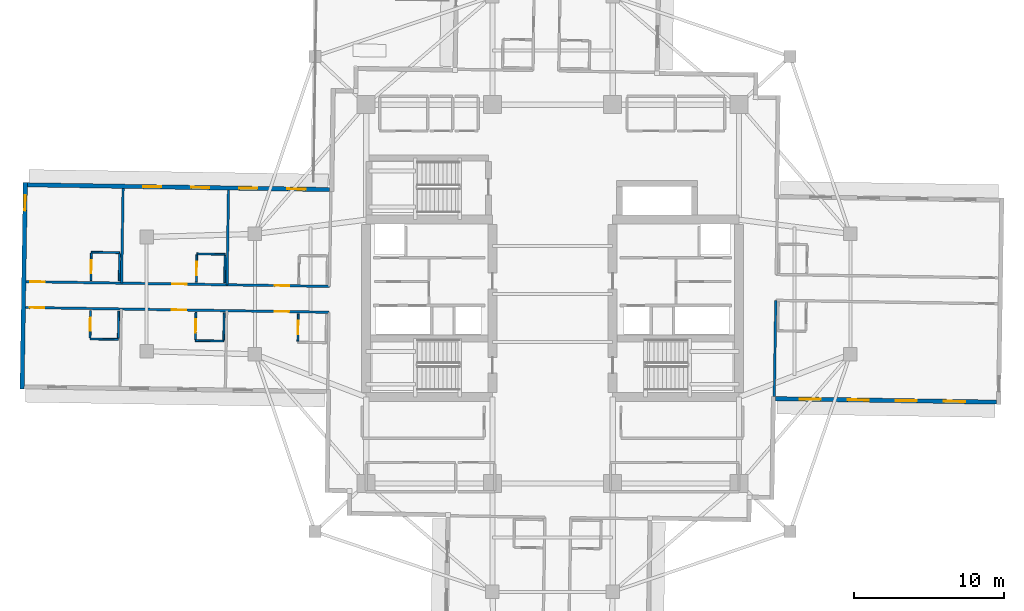
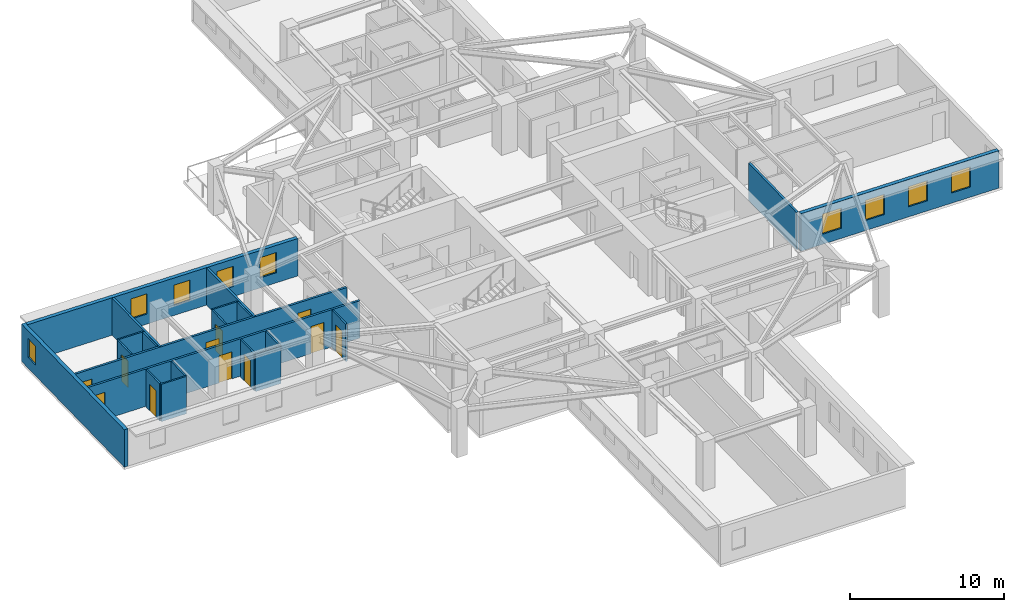
# One storey, part 4 of 13: 21 walls, 11 doors, 9 windows, 20 openings.
"""IFC4 building model written with IfcOpenShell, lengths in metres."""

import ifcopenshell
import ifcopenshell.guid

model = None  # the IFC model being written
_history = None  # IfcOwnerHistory: only IFC2X3 demands one
_inside = {}  # id of a spatial element -> (the spatial element, [elements in it])
_under = {}  # id of a project, library or spatial element -> (it, [spatial elements below it])
_declared = {}  # id of a project -> (the project, [libraries it declares])
_typed = {}  # id of a type object -> (the type object, [elements of that type])
_made_of = {}  # id of a material, layer set ... -> (it, [elements and type objects made of it])


def new_model(schema):
    """Start an empty IFC model of exactly this schema.

    Asked for "IFC4X3", IfcOpenShell would pick the latest addendum, in which some entities
    have other attributes; the version numbers below select the first issue.
    IFC2X3 requires an IfcOwnerHistory on every rooted entity: one is made here for all.
    """
    global model, _history
    if schema == "IFC4X3":
        model = ifcopenshell.file(schema_version=(4, 3, 0, 0))
    else:
        model = ifcopenshell.file(schema=schema)
    _inside.clear()
    _under.clear()
    _declared.clear()
    _typed.clear()
    _made_of.clear()
    _history = None
    if model.schema == "IFC2X3":
        org = make("IfcOrganization", Name="unknown")
        user = make(
            "IfcPersonAndOrganization",
            ThePerson=make("IfcPerson", FamilyName="unknown"),
            TheOrganization=org,
        )
        app = make(
            "IfcApplication",
            ApplicationDeveloper=org,
            Version="unknown",
            ApplicationFullName="unknown",
            ApplicationIdentifier="unknown",
        )
        _history = make(
            "IfcOwnerHistory",
            OwningUser=user,
            OwningApplication=app,
            ChangeAction="ADDED",
            CreationDate=0,
        )
    return model


def make(cls, **values):
    """One entity of the class cls with the attributes given. An attribute that is None is left unset."""
    return model.create_entity(
        cls, **{name: value for name, value in values.items() if value is not None}
    )


def rooted(cls, **values):
    """An entity with a GlobalId (a new one), such as an element, a storey or a relation."""
    return make(cls, GlobalId=ifcopenshell.guid.new(), OwnerHistory=_history, **values)


def si_unit(unit_type, name, prefix=None):
    """IfcSIUnit, for example si_unit("LENGTHUNIT", "METRE", prefix="MILLI")."""
    return make("IfcSIUnit", UnitType=unit_type, Prefix=prefix, Name=name)


def assignment(units):
    """IfcUnitAssignment: the units of a project."""
    return None if units is None else make("IfcUnitAssignment", Units=units)


def point(xyz):
    """IfcCartesianPoint."""
    return None if xyz is None else make("IfcCartesianPoint", Coordinates=xyz)


def direction(xyz):
    """IfcDirection."""
    return None if xyz is None else make("IfcDirection", DirectionRatios=xyz)


def frame(location, z_axis=None, x_axis=None):
    """IfcAxis2Placement3D, a coordinate frame: its origin and axes. An axis left out is left unset."""
    return make(
        "IfcAxis2Placement3D",
        Location=point(location),
        Axis=direction(z_axis),
        RefDirection=direction(x_axis),
    )


def frame_2d(location, x_axis=None):
    """IfcAxis2Placement2D, a coordinate frame in the plane: its origin and x axis."""
    return make(
        "IfcAxis2Placement2D", Location=point(location), RefDirection=direction(x_axis)
    )


def origin():
    """The frame at (0, 0, 0) with its axes left unset."""
    return frame((0.0, 0.0, 0.0))


def place(relative_to, where):
    """IfcLocalPlacement: puts the frame where relative to a parent placement (None: the world)."""
    return make(
        "IfcLocalPlacement", PlacementRelTo=relative_to, RelativePlacement=where
    )


def context(
    kind, dimensions, precision=None, world=None, true_north=None, identifier=None
):
    """IfcGeometricRepresentationContext, for example the 3D "Model" context."""
    return make(
        "IfcGeometricRepresentationContext",
        ContextIdentifier=identifier,
        ContextType=kind,
        CoordinateSpaceDimension=dimensions,
        Precision=precision,
        WorldCoordinateSystem=world,
        TrueNorth=true_north,
    )


def subcontext(parent, identifier, kind, view, scale=None):
    """IfcGeometricRepresentationSubContext, for example "Body" below "Model"."""
    return make(
        "IfcGeometricRepresentationSubContext",
        ContextIdentifier=identifier,
        ContextType=kind,
        ParentContext=parent,
        TargetScale=scale,
        TargetView=view,
    )


def project(units=None, contexts=None):
    """IfcProject with its units and contexts."""
    return rooted(
        "IfcProject",
        Name="project",
        RepresentationContexts=contexts,
        UnitsInContext=assignment(units),
    )


def spatial(cls, under=None, at=None, **own):
    """A site, building, storey or space (cls), placed at a placement, below another one or the project."""
    s = rooted(cls, ObjectPlacement=at, **own)
    if under is not None:
        _under.setdefault(under.id(), (under, []))[1].append(s)
    return s


def profile(cls, at=None, kind="AREA", **sizes):
    """A parametric profile (cls). Its sizes go by their IFC names, for example OverallWidth=200.0."""
    return make(cls, ProfileType=kind, Position=at, **sizes)


def rectangle(**sizes):
    """IfcRectangleProfileDef."""
    return profile("IfcRectangleProfileDef", **sizes)


def extrude(swept, where, along, depth):
    """IfcExtrudedAreaSolid: the profile swept, set in the frame where, extruded along a direction by depth."""
    return make(
        "IfcExtrudedAreaSolid",
        SweptArea=swept,
        Position=where,
        ExtrudedDirection=direction(along),
        Depth=depth,
    )


def shape(context_of_items, identifier, shape_type, items):
    """IfcShapeRepresentation: the items that make up one representation, for example the "Body"."""
    return make(
        "IfcShapeRepresentation",
        ContextOfItems=context_of_items,
        RepresentationIdentifier=identifier,
        RepresentationType=shape_type,
        Items=items,
    )


def material(Name=None, Category=None):
    """IfcMaterial."""
    return make("IfcMaterial", Name=Name, Category=Category)


def layer(
    of_material, thickness, ventilated=None, Name=None, Category=None, Priority=None
):
    """IfcMaterialLayer: one layer of a wall or slab, of a material (None: an air gap)."""
    return make(
        "IfcMaterialLayer",
        Material=of_material,
        LayerThickness=thickness,
        IsVentilated=ventilated,
        Name=Name,
        Category=Category,
        Priority=Priority,
    )


def layer_set(layers, Name=None):
    """IfcMaterialLayerSet."""
    return make("IfcMaterialLayerSet", MaterialLayers=layers, LayerSetName=Name)


def made_of(thing, what):
    """Note that an element or type object is made of a material, layer set ...; save() writes the relation."""
    if what is not None:
        _made_of.setdefault(what.id(), (what, []))[1].append(thing)
    return thing


def type_object(cls, material=None, **own):
    """A type object (cls), such as IfcWallType, which elements share."""
    return made_of(rooted(cls, **own), material)


def element(
    cls,
    number,
    at=None,
    inside=None,
    cuts=None,
    type_object=None,
    material=None,
    context=None,
    identifier="Body",
    shape_type=None,
    held_by="IfcProductDefinitionShape",
    body=None,
    shapes=None,
    **own,
):
    """One element of the class cls, such as IfcWall. Its Tag is "e" and its number.

    at: its placement. inside: the storey or other place that contains it. cuts: it is an
    opening in that element (IfcRelVoidsElement). A single representation is given by context,
    identifier, shape_type and body (its items); several are given by shapes. held_by: the class
    of the entity that holds the representations. save() writes the other relations.
    """
    e = rooted(cls, Tag="e%d" % number, ObjectPlacement=at, **own)
    if body is not None:
        shapes = [shape(context, identifier, shape_type, body)]
    if shapes is not None:
        e.Representation = make(held_by, Representations=shapes)
    if inside is not None:
        _inside.setdefault(inside.id(), (inside, []))[1].append(e)
    if cuts is not None:
        rooted(
            "IfcRelVoidsElement", RelatingBuildingElement=cuts, RelatedOpeningElement=e
        )
    if type_object is not None:
        _typed.setdefault(type_object.id(), (type_object, []))[1].append(e)
    return made_of(e, material)


def fill(opening, filler):
    """IfcRelFillsElement: the door or window that sits in an opening."""
    return rooted(
        "IfcRelFillsElement",
        RelatingOpeningElement=opening,
        RelatedBuildingElement=filler,
    )


def aggregate(whole, parts):
    """IfcRelAggregates: a whole, such as a stair, and the parts it consists of."""
    return rooted("IfcRelAggregates", RelatingObject=whole, RelatedObjects=parts)


def save(model, path):
    """Write the relations noted so far, then the file.

    IfcRelAggregates (storeys below a building ...), IfcRelContainedInSpatialStructure (elements
    in a storey), IfcRelDefinesByType, IfcRelAssociatesMaterial and IfcRelDeclares: one each for
    every whole, place, type object, material and project.
    """
    for whole, parts in _under.values():
        aggregate(whole, parts)
    for where, things in _inside.values():
        rooted(
            "IfcRelContainedInSpatialStructure",
            RelatedElements=things,
            RelatingStructure=where,
        )
    for kind, things in _typed.values():
        rooted("IfcRelDefinesByType", RelatedObjects=things, RelatingType=kind)
    for what, things in _made_of.values():
        rooted("IfcRelAssociatesMaterial", RelatedObjects=things, RelatingMaterial=what)
    for by, libraries in _declared.values():
        rooted("IfcRelDeclares", RelatingContext=by, RelatedDefinitions=libraries)
    model.write(path)


model = new_model("IFC4")

# Units and contexts
model_context = context("Model", 3, precision=1e-05, world=origin(), true_north=direction((0.0, 1.0)))
body_context = subcontext(model_context, "Body", "Model", "MODEL_VIEW")
ifc_project = project(units=[si_unit("LENGTHUNIT", "METRE"), si_unit("AREAUNIT", "SQUARE_METRE"), si_unit("VOLUMEUNIT", "CUBIC_METRE"), si_unit("PLANEANGLEUNIT", "RADIAN"), si_unit("MASSUNIT", "GRAM", prefix="KILO")], contexts=[model_context])

# Site, building, storey
site_placement = place(None, origin())
site = spatial("IfcSite", under=ifc_project, at=site_placement, CompositionType="ELEMENT")
building_placement = place(site_placement, origin())
building = spatial("IfcBuilding", under=site, at=building_placement, Name="Qingluan Cross Belvedere", CompositionType="ELEMENT")
storey_placement = place(building_placement, frame((0.0, 0.0, 148.800048828125)))
storey = spatial("IfcBuildingStorey", under=building, at=storey_placement, Name="L37", CompositionType="ELEMENT", Elevation=148.800048828125)

# Wall
ifc_material_1 = material(Name="Gypsum plasterboard on steel stud acoustic partition", Category="steel")
ifc_layer_1 = layer(ifc_material_1, 0.159912109375, Name="CorridorPartition_160")
ifc_layer_set_1 = layer_set([ifc_layer_1], Name="Gypsum plasterboard on steel stud acoustic partition")
wall_type_1 = type_object("IfcWallType", Name="CorridorPartition_160", PredefinedType="PARTITIONING", material=ifc_layer_set_1)
wall_1_placement = place(storey_placement, frame((14.84521484375, -0.4130859375, 0.0), z_axis=(0.0, 0.0, 1.0), x_axis=(-0.015697672111, -0.999876783954, 0.0)))
element("IfcWall", 1, at=wall_1_placement, inside=storey, type_object=wall_type_1, Name="Partition L37:E:s1", PredefinedType="PARTITIONING", context=body_context, shape_type="SweptSolid", body=[
    extrude(rectangle(XDim=6.39208984375, YDim=0.159912109375, at=frame_2d((3.196044921875, 0.0))), origin(), (0.0, 0.0, 1.0), 2.9599609375),
])

# Wall, openings, doors
wall_2_placement = place(storey_placement, frame((-14.84375, 0.51318359375, 0.0), z_axis=(0.0, 0.0, 1.0), x_axis=(-0.999876717676, 0.015701893165, 0.0)))
wall_2 = element("IfcWall", 2, at=wall_2_placement, inside=storey, type_object=wall_type_1, Name="Partition L37:W:c0", PredefinedType="PARTITIONING", context=body_context, shape_type="SweptSolid", body=[
    extrude(rectangle(XDim=20.181884765625, YDim=0.159912109375, at=frame_2d((10.0908203125, 0.0))), origin(), (0.0, 0.0, 1.0), 2.9599609375),
])
opening_1_placement = place(wall_2_placement, frame((2.660888671875, 0.0, 0.0)))
opening_1 = element("IfcOpeningElement", 3, at=opening_1_placement, cuts=wall_2, Name="Opening GD-10", PredefinedType="OPENING", context=body_context, shape_type="SweptSolid", body=[
    extrude(rectangle(XDim=0.9599609375, YDim=2.14990234375, at=frame_2d((0.47998046875, 1.074951171875))), frame((0.0, 0.08984375, 0.0), z_axis=(0.0, -1.0, 0.0), x_axis=(1.0, 0.0, 0.0)), (0.0, 0.0, 1.0), 0.179931640625),
])
opening_2_placement = place(wall_2_placement, frame((9.491943359375, 0.0, 0.0)))
opening_2 = element("IfcOpeningElement", 4, at=opening_2_placement, cuts=wall_2, Name="Opening GD-10", PredefinedType="OPENING", context=body_context, shape_type="SweptSolid", body=[
    extrude(rectangle(XDim=0.9599609375, YDim=2.14990234375, at=frame_2d((0.47998046875, 1.074951171875))), frame((0.0, 0.08984375, 0.0), z_axis=(0.0, -1.0, 0.0), x_axis=(1.0, 0.0, 0.0)), (0.0, 0.0, 1.0), 0.179931640625),
])
opening_3_placement = place(wall_2_placement, frame((18.929931640625, 0.0, 0.0)))
opening_3 = element("IfcOpeningElement", 5, at=opening_3_placement, cuts=wall_2, Name="Opening GD-10", PredefinedType="OPENING", context=body_context, shape_type="SweptSolid", body=[
    extrude(rectangle(XDim=0.9599609375, YDim=2.14990234375, at=frame_2d((0.47998046875, 1.074951171875))), frame((0.0, 0.08984375, 0.0), z_axis=(0.0, -1.0, 0.0), x_axis=(1.0, 0.0, 0.0)), (0.0, 0.0, 1.0), 0.179931640625),
])
ifc_material_2 = material(Name="Timber oak fire-rated acoustic guestroom door", Category="wood")
door_type_1 = type_object("IfcDoorType", Name="GuestEntryDoor_FD60", OperationType="NOTDEFINED", PredefinedType="DOOR", material=ifc_material_2)
door_1_placement = place(opening_1_placement, origin())
door_1 = element("IfcDoor", 6, at=door_1_placement, inside=storey, type_object=door_type_1, Name="Guest entry fire door 3703", OperationType="SINGLE_SWING_RIGHT", OverallHeight=2.14990234375, OverallWidth=0.9599609375, PredefinedType="DOOR", context=body_context, shape_type="SweptSolid", body=[
    extrude(rectangle(XDim=0.9599609375, YDim=2.14990234375, at=frame_2d((0.47998046875, 1.074951171875))), frame((0.0, 0.02490234375, 0.0), z_axis=(0.0, -1.0, 0.0), x_axis=(1.0, 0.0, 0.0)), (0.0, 0.0, 1.0), 0.050048828125),
])
fill(opening_1, door_1)
door_2_placement = place(opening_2_placement, origin())
door_2 = element("IfcDoor", 7, at=door_2_placement, inside=storey, type_object=door_type_1, Name="Guest entry fire door 3704", OperationType="SINGLE_SWING_RIGHT", OverallHeight=2.14990234375, OverallWidth=0.9599609375, PredefinedType="DOOR", context=body_context, shape_type="SweptSolid", body=[
    extrude(rectangle(XDim=0.9599609375, YDim=2.14990234375, at=frame_2d((0.47998046875, 1.074951171875))), frame((0.0, 0.02490234375, 0.0), z_axis=(0.0, -1.0, 0.0), x_axis=(1.0, 0.0, 0.0)), (0.0, 0.0, 1.0), 0.050048828125),
])
fill(opening_2, door_2)
door_3_placement = place(opening_3_placement, origin())
door_3 = element("IfcDoor", 8, at=door_3_placement, inside=storey, type_object=door_type_1, Name="Guest entry fire door 3705", OperationType="SINGLE_SWING_RIGHT", OverallHeight=2.14990234375, OverallWidth=0.9599609375, PredefinedType="DOOR", context=body_context, shape_type="SweptSolid", body=[
    extrude(rectangle(XDim=0.9599609375, YDim=2.14990234375, at=frame_2d((0.47998046875, 1.074951171875))), frame((0.0, 0.02490234375, 0.0), z_axis=(0.0, -1.0, 0.0), x_axis=(1.0, 0.0, 0.0)), (0.0, 0.0, 1.0), 0.050048828125),
])
fill(opening_3, door_3)

# Walls
wall_3_placement = place(storey_placement, frame((-21.65380859375, 0.6201171875, 0.0), z_axis=(0.0, 0.0, 1.0), x_axis=(0.015675825961, 0.999877126691, 0.0)))
element("IfcWall", 9, at=wall_3_placement, inside=storey, type_object=wall_type_1, Name="Partition L37:W:d0_0", PredefinedType="PARTITIONING", context=body_context, shape_type="SweptSolid", body=[
    extrude(rectangle(XDim=6.2919921875, YDim=0.159912109375, at=frame_2d((3.14599609375, 0.0))), origin(), (0.0, 0.0, 1.0), 2.9599609375),
])
wall_4_placement = place(storey_placement, frame((-28.666015625, 0.73046875, 0.0), z_axis=(0.0, 0.0, 1.0), x_axis=(0.01571522764, 0.999876508185, 0.0)))
element("IfcWall", 10, at=wall_4_placement, inside=storey, type_object=wall_type_1, Name="Partition L37:W:d0_1", PredefinedType="PARTITIONING", context=body_context, shape_type="SweptSolid", body=[
    extrude(rectangle(XDim=6.291748046875, YDim=0.159912109375, at=frame_2d((3.14599609375, 0.0))), origin(), (0.0, 0.0, 1.0), 2.9599609375),
])

# Wall, openings, doors
wall_5_placement = place(storey_placement, frame((-14.870849609375, -1.20654296875, 0.0), z_axis=(0.0, 0.0, 1.0), x_axis=(-0.999876527681, 0.015713987169, 0.0)))
wall_5 = element("IfcWall", 11, at=wall_5_placement, inside=storey, type_object=wall_type_1, Name="Partition L37:W:c1", PredefinedType="PARTITIONING", context=body_context, shape_type="SweptSolid", body=[
    extrude(rectangle(XDim=20.181884765625, YDim=0.159912109375, at=frame_2d((10.0908203125, 0.0))), origin(), (0.0, 0.0, 1.0), 2.9599609375),
])
opening_4_placement = place(wall_5_placement, frame((2.660888671875, 0.0, 0.0)))
opening_4 = element("IfcOpeningElement", 12, at=opening_4_placement, cuts=wall_5, Name="Opening GD-10", PredefinedType="OPENING", context=body_context, shape_type="SweptSolid", body=[
    extrude(rectangle(XDim=0.9599609375, YDim=2.14990234375, at=frame_2d((0.47998046875, 1.074951171875))), frame((0.0, 0.08984375, 0.0), z_axis=(0.0, -1.0, 0.0), x_axis=(1.0, 0.0, 0.0)), (0.0, 0.0, 1.0), 0.179931640625),
])
opening_5_placement = place(wall_5_placement, frame((9.491943359375, 0.0, 0.0)))
opening_5 = element("IfcOpeningElement", 13, at=opening_5_placement, cuts=wall_5, Name="Opening GD-10", PredefinedType="OPENING", context=body_context, shape_type="SweptSolid", body=[
    extrude(rectangle(XDim=0.9599609375, YDim=2.14990234375, at=frame_2d((0.47998046875, 1.074951171875))), frame((0.0, 0.08984375, 0.0), z_axis=(0.0, -1.0, 0.0), x_axis=(1.0, 0.0, 0.0)), (0.0, 0.0, 1.0), 0.179931640625),
])
opening_6_placement = place(wall_5_placement, frame((18.929931640625, 0.0, 0.0)))
opening_6 = element("IfcOpeningElement", 14, at=opening_6_placement, cuts=wall_5, Name="Opening GD-10", PredefinedType="OPENING", context=body_context, shape_type="SweptSolid", body=[
    extrude(rectangle(XDim=0.9599609375, YDim=2.14990234375, at=frame_2d((0.47998046875, 1.074951171875))), frame((0.0, 0.08984375, 0.0), z_axis=(0.0, -1.0, 0.0), x_axis=(1.0, 0.0, 0.0)), (0.0, 0.0, 1.0), 0.179931640625),
])
door_4_placement = place(opening_4_placement, origin())
door_4 = element("IfcDoor", 15, at=door_4_placement, inside=storey, type_object=door_type_1, Name="Guest entry fire door 3706", OperationType="SINGLE_SWING_RIGHT", OverallHeight=2.14990234375, OverallWidth=0.9599609375, PredefinedType="DOOR", context=body_context, shape_type="SweptSolid", body=[
    extrude(rectangle(XDim=0.9599609375, YDim=2.14990234375, at=frame_2d((0.47998046875, 1.074951171875))), frame((0.0, 0.02490234375, 0.0), z_axis=(0.0, -1.0, 0.0), x_axis=(1.0, 0.0, 0.0)), (0.0, 0.0, 1.0), 0.050048828125),
])
fill(opening_4, door_4)
door_5_placement = place(opening_5_placement, origin())
door_5 = element("IfcDoor", 16, at=door_5_placement, inside=storey, type_object=door_type_1, Name="Guest entry fire door 3707", OperationType="SINGLE_SWING_RIGHT", OverallHeight=2.14990234375, OverallWidth=0.9599609375, PredefinedType="DOOR", context=body_context, shape_type="SweptSolid", body=[
    extrude(rectangle(XDim=0.9599609375, YDim=2.14990234375, at=frame_2d((0.47998046875, 1.074951171875))), frame((0.0, 0.02490234375, 0.0), z_axis=(0.0, -1.0, 0.0), x_axis=(1.0, 0.0, 0.0)), (0.0, 0.0, 1.0), 0.050048828125),
])
fill(opening_5, door_5)
door_6_placement = place(opening_6_placement, origin())
door_6 = element("IfcDoor", 17, at=door_6_placement, inside=storey, type_object=door_type_1, Name="Guest entry fire door 3708", OperationType="SINGLE_SWING_RIGHT", OverallHeight=2.14990234375, OverallWidth=0.9599609375, PredefinedType="DOOR", context=body_context, shape_type="SweptSolid", body=[
    extrude(rectangle(XDim=0.9599609375, YDim=2.14990234375, at=frame_2d((0.47998046875, 1.074951171875))), frame((0.0, 0.02490234375, 0.0), z_axis=(0.0, -1.0, 0.0), x_axis=(1.0, 0.0, 0.0)), (0.0, 0.0, 1.0), 0.050048828125),
])
fill(opening_6, door_6)

# Wall, opening, door
ifc_material_3 = material(Name="Moisture-resistant gypsum board lining")
ifc_layer_2 = layer(ifc_material_3, 0.1201171875, Name="EnsuiteWetPartition_120")
ifc_layer_set_2 = layer_set([ifc_layer_2], Name="Moisture-resistant gypsum board lining")
wall_type_2 = type_object("IfcWallType", Name="EnsuiteWetPartition_120", PredefinedType="PARTITIONING", material=ifc_layer_set_2)
wall_6_placement = place(storey_placement, frame((-23.69140625, 0.792236328125, 0.0), z_axis=(0.0, 0.0, 1.0), x_axis=(0.015694337248, 0.999876836305, 0.0)))
wall_6 = element("IfcWall", 18, at=wall_6_placement, inside=storey, type_object=wall_type_2, Name="Partition L37:W:bs0_1", PredefinedType="PARTITIONING", context=body_context, shape_type="SweptSolid", body=[
    extrude(rectangle(XDim=1.820068359375, YDim=0.1201171875, at=frame_2d((0.91015625, 0.0))), origin(), (0.0, 0.0, 1.0), 2.9599609375),
])
opening_7_placement = place(wall_6_placement, frame((0.469970703125, 0.0, 0.0)))
opening_7 = element("IfcOpeningElement", 19, at=opening_7_placement, cuts=wall_6, Name="Opening BD-09", PredefinedType="OPENING", context=body_context, shape_type="SweptSolid", body=[
    extrude(rectangle(XDim=0.8798828125, YDim=2.10009765625, at=frame_2d((0.43994140625, 1.050048828125))), frame((0.0, 0.070068359375, 0.0), z_axis=(0.0, -1.0, 0.0), x_axis=(1.0, 0.0, 0.0)), (0.0, 0.0, 1.0), 0.14013671875),
])
ifc_material_4 = material(Name="Moisture-sealed timber en-suite door", Category="wood")
door_type_2 = type_object("IfcDoorType", Name="BathroomDoor_880", OperationType="NOTDEFINED", PredefinedType="DOOR", material=ifc_material_4)
door_7_placement = place(opening_7_placement, origin())
door_7 = element("IfcDoor", 20, at=door_7_placement, inside=storey, type_object=door_type_2, Name="Bathroom door 3704", OperationType="SINGLE_SWING_LEFT", OverallHeight=2.10009765625, OverallWidth=0.8798828125, PredefinedType="DOOR", context=body_context, shape_type="SweptSolid", body=[
    extrude(rectangle(XDim=0.8798828125, YDim=2.10009765625, at=frame_2d((0.43994140625, 1.050048828125))), frame((0.0, 0.02490234375, 0.0), z_axis=(0.0, -1.0, 0.0), x_axis=(1.0, 0.0, 0.0)), (0.0, 0.0, 1.0), 0.050048828125),
])
fill(opening_7, door_7)

# Walls
wall_7_placement = place(storey_placement, frame((-21.811767578125, 0.7626953125, 0.0), z_axis=(0.0, 0.0, 1.0), x_axis=(0.015694337248, 0.999876836305, 0.0)))
element("IfcWall", 21, at=wall_7_placement, inside=storey, type_object=wall_type_2, Name="Partition L37:W:bw0_1", PredefinedType="PARTITIONING", context=body_context, shape_type="SweptSolid", body=[
    extrude(rectangle(XDim=1.820068359375, YDim=0.1201171875, at=frame_2d((0.91015625, 0.0))), origin(), (0.0, 0.0, 1.0), 2.9599609375),
])
wall_8_placement = place(storey_placement, frame((-21.781982421875, 2.6474609375, 0.0), z_axis=(0.0, 0.0, 1.0), x_axis=(-0.999876553475, 0.01571234584, 0.0)))
element("IfcWall", 22, at=wall_8_placement, inside=storey, type_object=wall_type_2, Name="Partition L37:W:bn0_1", PredefinedType="PARTITIONING", context=body_context, shape_type="SweptSolid", body=[
    extrude(rectangle(XDim=1.880126953125, YDim=0.1201171875, at=frame_2d((0.93994140625, 0.0))), origin(), (0.0, 0.0, 1.0), 2.9599609375),
])

# Wall, opening, door
wall_9_placement = place(storey_placement, frame((-30.70361328125, 0.90234375, 0.0), z_axis=(0.0, 0.0, 1.0), x_axis=(0.015694337248, 0.999876836305, 0.0)))
wall_9 = element("IfcWall", 23, at=wall_9_placement, inside=storey, type_object=wall_type_2, Name="Partition L37:W:bs0_2", PredefinedType="PARTITIONING", context=body_context, shape_type="SweptSolid", body=[
    extrude(rectangle(XDim=1.820068359375, YDim=0.1201171875, at=frame_2d((0.91015625, 0.0))), origin(), (0.0, 0.0, 1.0), 2.9599609375),
])
opening_8_placement = place(wall_9_placement, frame((0.469970703125, 0.0, 0.0)))
opening_8 = element("IfcOpeningElement", 24, at=opening_8_placement, cuts=wall_9, Name="Opening BD-09", PredefinedType="OPENING", context=body_context, shape_type="SweptSolid", body=[
    extrude(rectangle(XDim=0.8798828125, YDim=2.10009765625, at=frame_2d((0.43994140625, 1.050048828125))), frame((0.0, 0.070068359375, 0.0), z_axis=(0.0, -1.0, 0.0), x_axis=(1.0, 0.0, 0.0)), (0.0, 0.0, 1.0), 0.14013671875),
])
door_8_placement = place(opening_8_placement, origin())
door_8 = element("IfcDoor", 25, at=door_8_placement, inside=storey, type_object=door_type_2, Name="Bathroom door 3705", OperationType="SINGLE_SWING_LEFT", OverallHeight=2.10009765625, OverallWidth=0.8798828125, PredefinedType="DOOR", context=body_context, shape_type="SweptSolid", body=[
    extrude(rectangle(XDim=0.8798828125, YDim=2.10009765625, at=frame_2d((0.43994140625, 1.050048828125))), frame((0.0, 0.02490234375, 0.0), z_axis=(0.0, -1.0, 0.0), x_axis=(1.0, 0.0, 0.0)), (0.0, 0.0, 1.0), 0.050048828125),
])
fill(opening_8, door_8)

# Walls
wall_10_placement = place(storey_placement, frame((-28.82373046875, 0.872802734375, 0.0), z_axis=(0.0, 0.0, 1.0), x_axis=(0.015560230231, 0.999878932289, 0.0)))
element("IfcWall", 26, at=wall_10_placement, inside=storey, type_object=wall_type_2, Name="Partition L37:W:bw0_2", PredefinedType="PARTITIONING", context=body_context, shape_type="SweptSolid", body=[
    extrude(rectangle(XDim=1.820068359375, YDim=0.1201171875, at=frame_2d((0.91015625, 0.0))), origin(), (0.0, 0.0, 1.0), 2.9599609375),
])
wall_11_placement = place(storey_placement, frame((-28.794189453125, 2.757568359375, 0.0), z_axis=(0.0, 0.0, 1.0), x_axis=(-0.999876553475, 0.01571234584, 0.0)))
element("IfcWall", 27, at=wall_11_placement, inside=storey, type_object=wall_type_2, Name="Partition L37:W:bn0_2", PredefinedType="PARTITIONING", context=body_context, shape_type="SweptSolid", body=[
    extrude(rectangle(XDim=1.880126953125, YDim=0.1201171875, at=frame_2d((0.93994140625, 0.0))), origin(), (0.0, 0.0, 1.0), 2.9599609375),
])

# Wall, opening, door
wall_12_placement = place(storey_placement, frame((-16.94140625, -3.13427734375, 0.0), z_axis=(0.0, 0.0, 1.0), x_axis=(0.015828443418, 0.999874722342, 0.0)))
wall_12 = element("IfcWall", 28, at=wall_12_placement, inside=storey, type_object=wall_type_2, Name="Partition L37:W:bs1_0", PredefinedType="PARTITIONING", context=body_context, shape_type="SweptSolid", body=[
    extrude(rectangle(XDim=1.820068359375, YDim=0.1201171875, at=frame_2d((0.91015625, 0.0))), origin(), (0.0, 0.0, 1.0), 2.9599609375),
])
opening_9_placement = place(wall_12_placement, frame((0.469970703125, 0.0, 0.0)))
opening_9 = element("IfcOpeningElement", 29, at=opening_9_placement, cuts=wall_12, Name="Opening BD-09", PredefinedType="OPENING", context=body_context, shape_type="SweptSolid", body=[
    extrude(rectangle(XDim=0.8798828125, YDim=2.10009765625, at=frame_2d((0.43994140625, 1.050048828125))), frame((0.0, 0.070068359375, 0.0), z_axis=(0.0, -1.0, 0.0), x_axis=(1.0, 0.0, 0.0)), (0.0, 0.0, 1.0), 0.14013671875),
])
door_9_placement = place(opening_9_placement, origin())
door_9 = element("IfcDoor", 30, at=door_9_placement, inside=storey, type_object=door_type_2, Name="Bathroom door 3706", OperationType="SINGLE_SWING_LEFT", OverallHeight=2.10009765625, OverallWidth=0.8798828125, PredefinedType="DOOR", context=body_context, shape_type="SweptSolid", body=[
    extrude(rectangle(XDim=0.8798828125, YDim=2.10009765625, at=frame_2d((0.43994140625, 1.050048828125))), frame((0.0, 0.02490234375, 0.0), z_axis=(0.0, -1.0, 0.0), x_axis=(1.0, 0.0, 0.0)), (0.0, 0.0, 1.0), 0.050048828125),
])
fill(opening_9, door_9)

wall_13_placement = place(storey_placement, frame((-23.75146484375, -3.02734375, 0.0), z_axis=(0.0, 0.0, 1.0), x_axis=(0.015694337248, 0.999876836305, 0.0)))
wall_13 = element("IfcWall", 31, at=wall_13_placement, inside=storey, type_object=wall_type_2, Name="Partition L37:W:bs1_1", PredefinedType="PARTITIONING", context=body_context, shape_type="SweptSolid", body=[
    extrude(rectangle(XDim=1.820068359375, YDim=0.1201171875, at=frame_2d((0.91015625, 0.0))), origin(), (0.0, 0.0, 1.0), 2.9599609375),
])
opening_10_placement = place(wall_13_placement, frame((0.469970703125, 0.0, 0.0)))
opening_10 = element("IfcOpeningElement", 32, at=opening_10_placement, cuts=wall_13, Name="Opening BD-09", PredefinedType="OPENING", context=body_context, shape_type="SweptSolid", body=[
    extrude(rectangle(XDim=0.8798828125, YDim=2.10009765625, at=frame_2d((0.43994140625, 1.050048828125))), frame((0.0, 0.070068359375, 0.0), z_axis=(0.0, -1.0, 0.0), x_axis=(1.0, 0.0, 0.0)), (0.0, 0.0, 1.0), 0.14013671875),
])
door_10_placement = place(opening_10_placement, origin())
door_10 = element("IfcDoor", 33, at=door_10_placement, inside=storey, type_object=door_type_2, Name="Bathroom door 3707", OperationType="SINGLE_SWING_LEFT", OverallHeight=2.10009765625, OverallWidth=0.8798828125, PredefinedType="DOOR", context=body_context, shape_type="SweptSolid", body=[
    extrude(rectangle(XDim=0.8798828125, YDim=2.10009765625, at=frame_2d((0.43994140625, 1.050048828125))), frame((0.0, 0.02490234375, 0.0), z_axis=(0.0, -1.0, 0.0), x_axis=(1.0, 0.0, 0.0)), (0.0, 0.0, 1.0), 0.050048828125),
])
fill(opening_10, door_10)

# Walls
wall_14_placement = place(storey_placement, frame((-21.87158203125, -3.056884765625, 0.0), z_axis=(0.0, 0.0, 1.0), x_axis=(0.015694337248, 0.999876836305, 0.0)))
element("IfcWall", 34, at=wall_14_placement, inside=storey, type_object=wall_type_2, Name="Partition L37:W:bw1_1", PredefinedType="PARTITIONING", context=body_context, shape_type="SweptSolid", body=[
    extrude(rectangle(XDim=1.820068359375, YDim=0.1201171875, at=frame_2d((0.91015625, 0.0))), origin(), (0.0, 0.0, 1.0), 2.9599609375),
])
wall_15_placement = place(storey_placement, frame((-21.872802734375, -3.121826171875, 0.0), z_axis=(0.0, 0.0, 1.0), x_axis=(-0.99987652141, 0.015714386166, 0.0)))
element("IfcWall", 35, at=wall_15_placement, inside=storey, type_object=wall_type_2, Name="Partition L37:W:bc1_1", PredefinedType="PARTITIONING", context=body_context, shape_type="SweptSolid", body=[
    extrude(rectangle(XDim=1.8798828125, YDim=0.1201171875, at=frame_2d((0.93994140625, 0.0))), origin(), (0.0, 0.0, 1.0), 2.9599609375),
])

# Wall, opening, door
wall_16_placement = place(storey_placement, frame((-30.763671875, -2.9169921875, 0.0), z_axis=(0.0, 0.0, 1.0), x_axis=(0.015696442504, 0.999876803258, 0.0)))
wall_16 = element("IfcWall", 36, at=wall_16_placement, inside=storey, type_object=wall_type_2, Name="Partition L37:W:bs1_2", PredefinedType="PARTITIONING", context=body_context, shape_type="SweptSolid", body=[
    extrude(rectangle(XDim=1.81982421875, YDim=0.1201171875, at=frame_2d((0.909912109375, 0.0))), origin(), (0.0, 0.0, 1.0), 2.9599609375),
])
opening_11_placement = place(wall_16_placement, frame((0.469970703125, 0.0, 0.0)))
opening_11 = element("IfcOpeningElement", 37, at=opening_11_placement, cuts=wall_16, Name="Opening BD-09", PredefinedType="OPENING", context=body_context, shape_type="SweptSolid", body=[
    extrude(rectangle(XDim=0.8798828125, YDim=2.10009765625, at=frame_2d((0.43994140625, 1.050048828125))), frame((0.0, 0.070068359375, 0.0), z_axis=(0.0, -1.0, 0.0), x_axis=(1.0, 0.0, 0.0)), (0.0, 0.0, 1.0), 0.14013671875),
])
door_11_placement = place(opening_11_placement, origin())
door_11 = element("IfcDoor", 38, at=door_11_placement, inside=storey, type_object=door_type_2, Name="Bathroom door 3708", OperationType="SINGLE_SWING_LEFT", OverallHeight=2.10009765625, OverallWidth=0.8798828125, PredefinedType="DOOR", context=body_context, shape_type="SweptSolid", body=[
    extrude(rectangle(XDim=0.8798828125, YDim=2.10009765625, at=frame_2d((0.43994140625, 1.050048828125))), frame((0.0, 0.02490234375, 0.0), z_axis=(0.0, -1.0, 0.0), x_axis=(1.0, 0.0, 0.0)), (0.0, 0.0, 1.0), 0.050048828125),
])
fill(opening_11, door_11)

# Walls
wall_17_placement = place(storey_placement, frame((-28.8837890625, -2.94677734375, 0.0), z_axis=(0.0, 0.0, 1.0), x_axis=(0.015694337248, 0.999876836305, 0.0)))
element("IfcWall", 39, at=wall_17_placement, inside=storey, type_object=wall_type_2, Name="Partition L37:W:bw1_2", PredefinedType="PARTITIONING", context=body_context, shape_type="SweptSolid", body=[
    extrude(rectangle(XDim=1.820068359375, YDim=0.1201171875, at=frame_2d((0.91015625, 0.0))), origin(), (0.0, 0.0, 1.0), 2.9599609375),
])
wall_18_placement = place(storey_placement, frame((-28.885009765625, -3.01171875, 0.0), z_axis=(0.0, 0.0, 1.0), x_axis=(-0.99987652141, 0.015714386166, 0.0)))
element("IfcWall", 40, at=wall_18_placement, inside=storey, type_object=wall_type_2, Name="Partition L37:W:bc1_2", PredefinedType="PARTITIONING", context=body_context, shape_type="SweptSolid", body=[
    extrude(rectangle(XDim=1.8798828125, YDim=0.1201171875, at=frame_2d((0.93994140625, 0.0))), origin(), (0.0, 0.0, 1.0), 2.9599609375),
])

# Wall, openings, windows
ifc_material_5 = material(Name="Precast concrete C45", Category="concrete")
ifc_layer_3 = layer(ifc_material_5, 0.280029296875, Name="PrecastFacadeWall_280")
ifc_layer_set_3 = layer_set([ifc_layer_3], Name="Precast concrete C45")
wall_type_3 = type_object("IfcWallType", Name="PrecastFacadeWall_280", PredefinedType="STANDARD", material=ifc_layer_set_3)
wall_19_placement = place(storey_placement, frame((14.83251953125, -6.953857421875, 0.0), z_axis=(0.0, 0.0, 1.0), x_axis=(0.999876569875, -0.015711302158, 0.0)))
wall_19 = element("IfcWall", 41, at=wall_19_placement, inside=storey, type_object=wall_type_3, Name="Facade wall L37-EA", PredefinedType="STANDARD", context=body_context, shape_type="SweptSolid", body=[
    extrude(rectangle(XDim=14.699951171875, YDim=0.280029296875, at=frame_2d((7.35009765625, 0.0))), origin(), (0.0, 0.0, 1.0), 2.969970703125),
])
opening_12_placement = place(wall_19_placement, frame((1.60009765625, 0.0, 0.800048828125)))
opening_12 = element("IfcOpeningElement", 42, at=opening_12_placement, cuts=wall_19, Name="Opening W-01", PredefinedType="OPENING", context=body_context, shape_type="SweptSolid", body=[
    extrude(rectangle(XDim=1.39990234375, YDim=1.60009765625, at=frame_2d((0.699951171875, 0.800048828125))), frame((0.0, 0.14990234375, 0.0), z_axis=(0.0, -1.0, 0.0), x_axis=(1.0, 0.0, 0.0)), (0.0, 0.0, 1.0), 0.300048828125),
])
opening_13_placement = place(wall_19_placement, frame((4.800048828125, 0.0, 0.800048828125)))
opening_13 = element("IfcOpeningElement", 43, at=opening_13_placement, cuts=wall_19, Name="Opening W-01", PredefinedType="OPENING", context=body_context, shape_type="SweptSolid", body=[
    extrude(rectangle(XDim=1.39990234375, YDim=1.60009765625, at=frame_2d((0.699951171875, 0.800048828125))), frame((0.0, 0.14990234375, 0.0), z_axis=(0.0, -1.0, 0.0), x_axis=(1.0, 0.0, 0.0)), (0.0, 0.0, 1.0), 0.300048828125),
])
opening_14_placement = place(wall_19_placement, frame((8.0, 0.0, 0.800048828125)))
opening_14 = element("IfcOpeningElement", 44, at=opening_14_placement, cuts=wall_19, Name="Opening W-01", PredefinedType="OPENING", context=body_context, shape_type="SweptSolid", body=[
    extrude(rectangle(XDim=1.39990234375, YDim=1.60009765625, at=frame_2d((0.699951171875, 0.800048828125))), frame((0.0, 0.14990234375, 0.0), z_axis=(0.0, -1.0, 0.0), x_axis=(1.0, 0.0, 0.0)), (0.0, 0.0, 1.0), 0.300048828125),
])
opening_15_placement = place(wall_19_placement, frame((11.199951171875, 0.0, 0.800048828125)))
opening_15 = element("IfcOpeningElement", 45, at=opening_15_placement, cuts=wall_19, Name="Opening W-01", PredefinedType="OPENING", context=body_context, shape_type="SweptSolid", body=[
    extrude(rectangle(XDim=1.39990234375, YDim=1.60009765625, at=frame_2d((0.699951171875, 0.800048828125))), frame((0.0, 0.14990234375, 0.0), z_axis=(0.0, -1.0, 0.0), x_axis=(1.0, 0.0, 0.0)), (0.0, 0.0, 1.0), 0.300048828125),
])
ifc_material_6 = material(Name="Thermally broken triple Low-E glass in aluminium frame", Category="aluminium")
window_type_1 = type_object("IfcWindowType", Name="TriRibbonWin_1400x1600", PartitioningType="SINGLE_PANEL", PredefinedType="WINDOW", material=ifc_material_6)
window_1_placement = place(opening_12_placement, origin())
window_1 = element("IfcWindow", 46, at=window_1_placement, inside=storey, type_object=window_type_1, Name="Ribbon window L37-EA-1", OverallHeight=1.60009765625, OverallWidth=1.39990234375, PartitioningType="SINGLE_PANEL", PredefinedType="WINDOW", context=body_context, shape_type="SweptSolid", body=[
    extrude(rectangle(XDim=1.39990234375, YDim=1.60009765625, at=frame_2d((0.699951171875, 0.800048828125))), frame((0.0, 0.030029296875, 0.0), z_axis=(0.0, -1.0, 0.0), x_axis=(1.0, 0.0, 0.0)), (0.0, 0.0, 1.0), 0.06005859375),
])
fill(opening_12, window_1)
window_2_placement = place(opening_13_placement, origin())
window_2 = element("IfcWindow", 47, at=window_2_placement, inside=storey, type_object=window_type_1, Name="Ribbon window L37-EA-2", OverallHeight=1.60009765625, OverallWidth=1.39990234375, PartitioningType="SINGLE_PANEL", PredefinedType="WINDOW", context=body_context, shape_type="SweptSolid", body=[
    extrude(rectangle(XDim=1.39990234375, YDim=1.60009765625, at=frame_2d((0.699951171875, 0.800048828125))), frame((0.0, 0.030029296875, 0.0), z_axis=(0.0, -1.0, 0.0), x_axis=(1.0, 0.0, 0.0)), (0.0, 0.0, 1.0), 0.06005859375),
])
fill(opening_13, window_2)
window_3_placement = place(opening_14_placement, origin())
window_3 = element("IfcWindow", 48, at=window_3_placement, inside=storey, type_object=window_type_1, Name="Ribbon window L37-EA-3", OverallHeight=1.60009765625, OverallWidth=1.39990234375, PartitioningType="SINGLE_PANEL", PredefinedType="WINDOW", context=body_context, shape_type="SweptSolid", body=[
    extrude(rectangle(XDim=1.39990234375, YDim=1.60009765625, at=frame_2d((0.699951171875, 0.800048828125))), frame((0.0, 0.030029296875, 0.0), z_axis=(0.0, -1.0, 0.0), x_axis=(1.0, 0.0, 0.0)), (0.0, 0.0, 1.0), 0.06005859375),
])
fill(opening_14, window_3)
window_4_placement = place(opening_15_placement, origin())
window_4 = element("IfcWindow", 49, at=window_4_placement, inside=storey, type_object=window_type_1, Name="Ribbon window L37-EA-4", OverallHeight=1.60009765625, OverallWidth=1.39990234375, PartitioningType="SINGLE_PANEL", PredefinedType="WINDOW", context=body_context, shape_type="SweptSolid", body=[
    extrude(rectangle(XDim=1.39990234375, YDim=1.60009765625, at=frame_2d((0.699951171875, 0.800048828125))), frame((0.0, 0.030029296875, 0.0), z_axis=(0.0, -1.0, 0.0), x_axis=(1.0, 0.0, 0.0)), (0.0, 0.0, 1.0), 0.06005859375),
])
fill(opening_15, window_4)

wall_20_placement = place(storey_placement, frame((-14.83251953125, 6.953857421875, 0.0), z_axis=(0.0, 0.0, 1.0), x_axis=(-0.999876667941, 0.015705059908, 0.0)))
wall_20 = element("IfcWall", 50, at=wall_20_placement, inside=storey, type_object=wall_type_3, Name="Facade wall L37-WA", PredefinedType="STANDARD", context=body_context, shape_type="SweptSolid", body=[
    extrude(rectangle(XDim=20.10009765625, YDim=0.280029296875, at=frame_2d((10.050048828125, 0.0))), origin(), (0.0, 0.0, 1.0), 2.969970703125),
])
opening_16_placement = place(wall_20_placement, frame((1.60009765625, 0.0, 0.800048828125)))
opening_16 = element("IfcOpeningElement", 51, at=opening_16_placement, cuts=wall_20, Name="Opening W-02", PredefinedType="OPENING", context=body_context, shape_type="SweptSolid", body=[
    extrude(rectangle(XDim=1.199951171875, YDim=1.60009765625, at=frame_2d((0.60009765625, 0.800048828125))), frame((0.0, 0.14990234375, 0.0), z_axis=(0.0, -1.0, 0.0), x_axis=(1.0, 0.0, 0.0)), (0.0, 0.0, 1.0), 0.300048828125),
])
opening_17_placement = place(wall_20_placement, frame((4.800048828125, 0.0, 0.800048828125)))
opening_17 = element("IfcOpeningElement", 52, at=opening_17_placement, cuts=wall_20, Name="Opening W-02", PredefinedType="OPENING", context=body_context, shape_type="SweptSolid", body=[
    extrude(rectangle(XDim=1.199951171875, YDim=1.60009765625, at=frame_2d((0.60009765625, 0.800048828125))), frame((0.0, 0.14990234375, 0.0), z_axis=(0.0, -1.0, 0.0), x_axis=(1.0, 0.0, 0.0)), (0.0, 0.0, 1.0), 0.300048828125),
])
opening_18_placement = place(wall_20_placement, frame((8.0, 0.0, 0.800048828125)))
opening_18 = element("IfcOpeningElement", 53, at=opening_18_placement, cuts=wall_20, Name="Opening W-02", PredefinedType="OPENING", context=body_context, shape_type="SweptSolid", body=[
    extrude(rectangle(XDim=1.199951171875, YDim=1.60009765625, at=frame_2d((0.60009765625, 0.800048828125))), frame((0.0, 0.14990234375, 0.0), z_axis=(0.0, -1.0, 0.0), x_axis=(1.0, 0.0, 0.0)), (0.0, 0.0, 1.0), 0.300048828125),
])
opening_19_placement = place(wall_20_placement, frame((11.199951171875, 0.0, 0.800048828125)))
opening_19 = element("IfcOpeningElement", 54, at=opening_19_placement, cuts=wall_20, Name="Opening W-02", PredefinedType="OPENING", context=body_context, shape_type="SweptSolid", body=[
    extrude(rectangle(XDim=1.199951171875, YDim=1.60009765625, at=frame_2d((0.60009765625, 0.800048828125))), frame((0.0, 0.14990234375, 0.0), z_axis=(0.0, -1.0, 0.0), x_axis=(1.0, 0.0, 0.0)), (0.0, 0.0, 1.0), 0.300048828125),
])
ifc_material_7 = material(Name="Thermally broken triple Low-E glass in aluminium frame", Category="aluminium")
window_type_2 = type_object("IfcWindowType", Name="TriRibbonWin_1200x1600", PartitioningType="SINGLE_PANEL", PredefinedType="WINDOW", material=ifc_material_7)
window_5_placement = place(opening_16_placement, origin())
window_5 = element("IfcWindow", 55, at=window_5_placement, inside=storey, type_object=window_type_2, Name="Ribbon window L37-WA-1", OverallHeight=1.60009765625, OverallWidth=1.199951171875, PartitioningType="SINGLE_PANEL", PredefinedType="WINDOW", context=body_context, shape_type="SweptSolid", body=[
    extrude(rectangle(XDim=1.199951171875, YDim=1.60009765625, at=frame_2d((0.60009765625, 0.800048828125))), frame((0.0, 0.030029296875, 0.0), z_axis=(0.0, -1.0, 0.0), x_axis=(1.0, 0.0, 0.0)), (0.0, 0.0, 1.0), 0.06005859375),
])
fill(opening_16, window_5)
window_6_placement = place(opening_17_placement, origin())
window_6 = element("IfcWindow", 56, at=window_6_placement, inside=storey, type_object=window_type_2, Name="Ribbon window L37-WA-2", OverallHeight=1.60009765625, OverallWidth=1.199951171875, PartitioningType="SINGLE_PANEL", PredefinedType="WINDOW", context=body_context, shape_type="SweptSolid", body=[
    extrude(rectangle(XDim=1.199951171875, YDim=1.60009765625, at=frame_2d((0.60009765625, 0.800048828125))), frame((0.0, 0.030029296875, 0.0), z_axis=(0.0, -1.0, 0.0), x_axis=(1.0, 0.0, 0.0)), (0.0, 0.0, 1.0), 0.06005859375),
])
fill(opening_17, window_6)
window_7_placement = place(opening_18_placement, origin())
window_7 = element("IfcWindow", 57, at=window_7_placement, inside=storey, type_object=window_type_2, Name="Ribbon window L37-WA-3", OverallHeight=1.60009765625, OverallWidth=1.199951171875, PartitioningType="SINGLE_PANEL", PredefinedType="WINDOW", context=body_context, shape_type="SweptSolid", body=[
    extrude(rectangle(XDim=1.199951171875, YDim=1.60009765625, at=frame_2d((0.60009765625, 0.800048828125))), frame((0.0, 0.030029296875, 0.0), z_axis=(0.0, -1.0, 0.0), x_axis=(1.0, 0.0, 0.0)), (0.0, 0.0, 1.0), 0.06005859375),
])
fill(opening_18, window_7)
window_8_placement = place(opening_19_placement, origin())
window_8 = element("IfcWindow", 58, at=window_8_placement, inside=storey, type_object=window_type_2, Name="Ribbon window L37-WA-4", OverallHeight=1.60009765625, OverallWidth=1.199951171875, PartitioningType="SINGLE_PANEL", PredefinedType="WINDOW", context=body_context, shape_type="SweptSolid", body=[
    extrude(rectangle(XDim=1.199951171875, YDim=1.60009765625, at=frame_2d((0.60009765625, 0.800048828125))), frame((0.0, 0.030029296875, 0.0), z_axis=(0.0, -1.0, 0.0), x_axis=(1.0, 0.0, 0.0)), (0.0, 0.0, 1.0), 0.06005859375),
])
fill(opening_19, window_8)

# Wall, opening, window
wall_21_placement = place(storey_placement, frame((-35.06787109375, 7.41162109375, 0.0), z_axis=(0.0, 0.0, 1.0), x_axis=(-0.015712599986, -0.999876549481, 0.0)))
wall_21 = element("IfcWall", 59, at=wall_21_placement, inside=storey, type_object=wall_type_3, Name="Arm tip precast facade wall L37-W", PredefinedType="STANDARD", context=body_context, shape_type="SweptSolid", body=[
    extrude(rectangle(XDim=13.719970703125, YDim=0.280029296875, at=frame_2d((6.85986328125, 0.0))), origin(), (0.0, 0.0, 1.0), 2.969970703125),
])
opening_20_placement = place(wall_21_placement, frame((0.85009765625, 0.0, 0.85009765625)))
opening_20 = element("IfcOpeningElement", 60, at=opening_20_placement, cuts=wall_21, Name="Opening W-03", PredefinedType="OPENING", context=body_context, shape_type="SweptSolid", body=[
    extrude(rectangle(XDim=1.0, YDim=1.5, at=frame_2d((0.5, 0.75))), frame((0.0, 0.14990234375, 0.0), z_axis=(0.0, -1.0, 0.0), x_axis=(1.0, 0.0, 0.0)), (0.0, 0.0, 1.0), 0.300048828125),
])
ifc_material_8 = material(Name="Thermally broken triple Low-E glass in aluminium frame", Category="aluminium")
window_type_3 = type_object("IfcWindowType", Name="TriApexWin_1000x1500", PartitioningType="SINGLE_PANEL", PredefinedType="WINDOW", material=ifc_material_8)
window_9_placement = place(opening_20_placement, origin())
window_9 = element("IfcWindow", 61, at=window_9_placement, inside=storey, type_object=window_type_3, Name="Arm tip triangular window L37-W", OverallHeight=1.5, OverallWidth=1.0, PartitioningType="SINGLE_PANEL", PredefinedType="WINDOW", context=body_context, shape_type="SweptSolid", body=[
    extrude(rectangle(XDim=1.0, YDim=1.5, at=frame_2d((0.5, 0.75))), frame((0.0, 0.030029296875, 0.0), z_axis=(0.0, -1.0, 0.0), x_axis=(1.0, 0.0, 0.0)), (0.0, 0.0, 1.0), 0.06005859375),
])
fill(opening_20, window_9)

save(model, "model.ifc")
